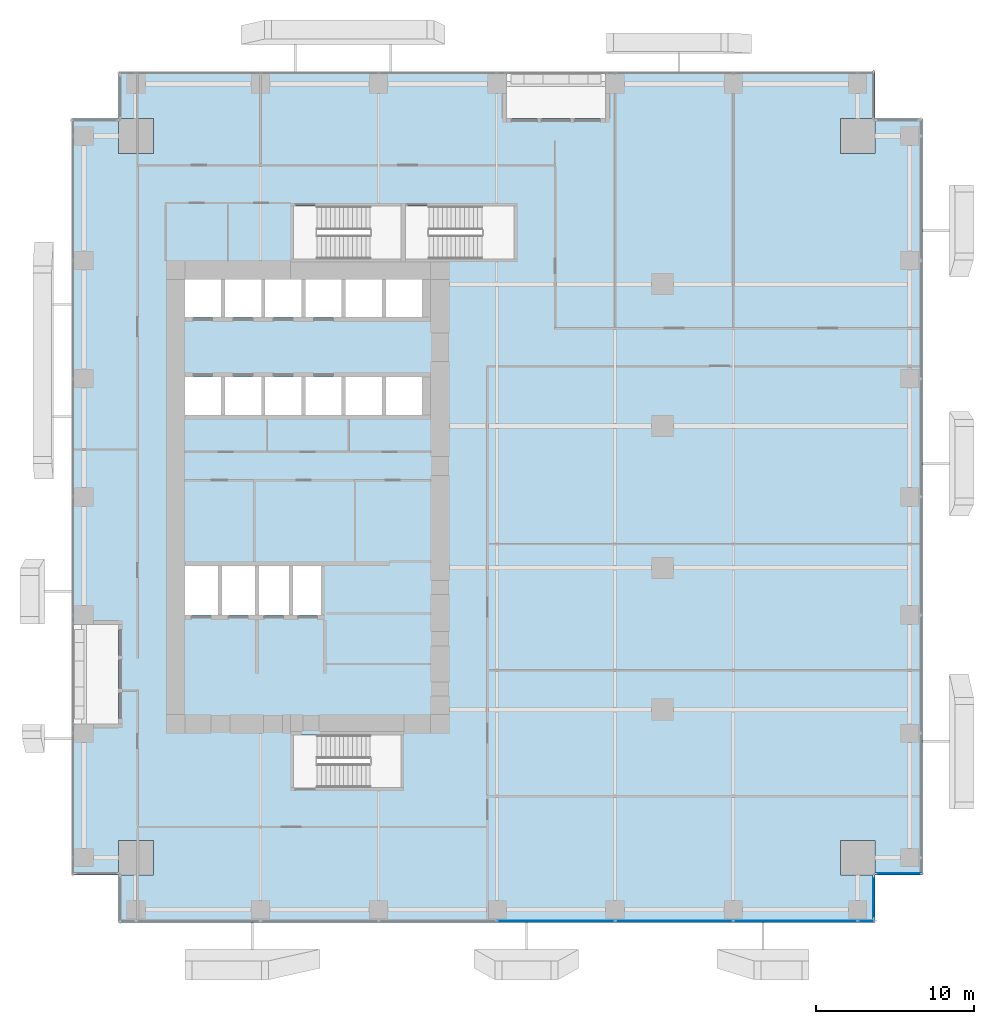
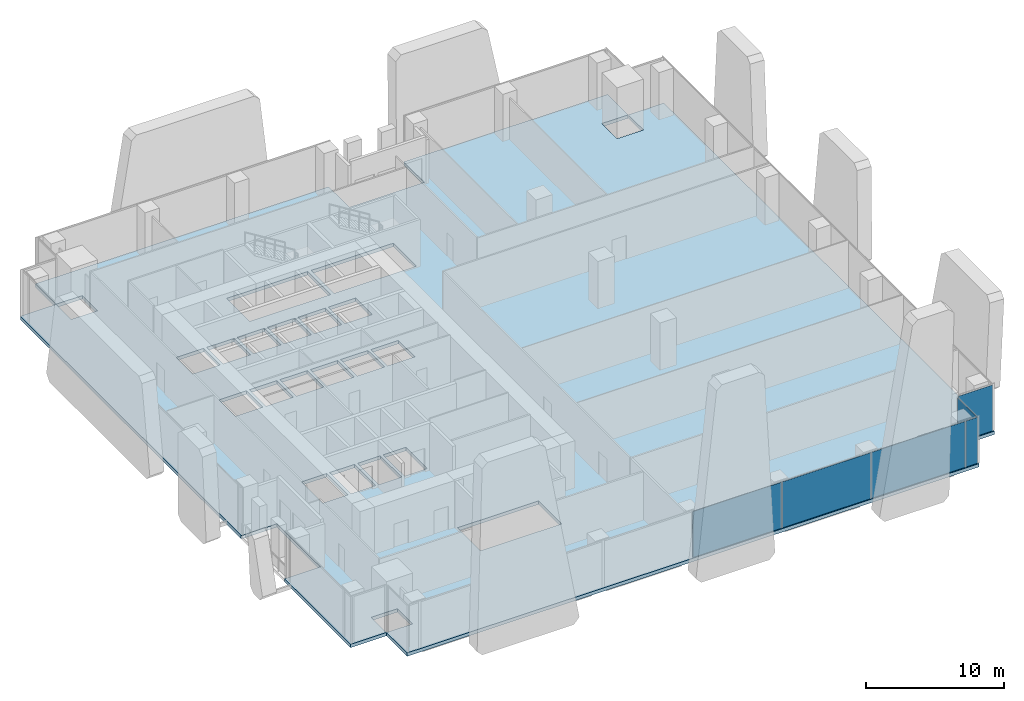
# One storey, part 23 of 34: 6 plates, 1 slab, 3 elements without a shape of their own.
"""IFC4 building model written with IfcOpenShell, lengths in metres."""

from ifc_helpers import new_model, si_unit, direction, frame, origin, origin_2d, place, context, subcontext, project, spatial, polyline, rectangle, outline, extrude, source, transform, mapped, material, layer, layer_set, type_object, element, aggregate, save


model = new_model("IFC4")

# Units and contexts
model_context = context("Model", 3, precision=1e-05, world=origin(), true_north=direction((0.0, 1.0)))
body_context = subcontext(model_context, "Body", "Model", "MODEL_VIEW")
ifc_project = project(units=[si_unit("LENGTHUNIT", "METRE"), si_unit("AREAUNIT", "SQUARE_METRE"), si_unit("VOLUMEUNIT", "CUBIC_METRE"), si_unit("PLANEANGLEUNIT", "RADIAN"), si_unit("MASSUNIT", "GRAM", prefix="KILO")], contexts=[model_context])

# Site, building, storey
site_placement = place(None, origin())
site = spatial("IfcSite", under=ifc_project, at=site_placement, CompositionType="ELEMENT")
building_placement = place(site_placement, origin())
building = spatial("IfcBuilding", under=site, at=building_placement, Name="Khomas Fold Tower", CompositionType="ELEMENT")
storey_placement = place(building_placement, frame((0.0, 0.0, 51.0)))
storey = spatial("IfcBuildingStorey", under=building, at=storey_placement, Name="L10", CompositionType="ELEMENT", Elevation=51.0)

# Slab
ifc_material_1 = material(Name="Concrete C40/50", Category="concrete")
ifc_layer_1 = layer(ifc_material_1, 0.300048828125)
ifc_layer_set_1 = layer_set([ifc_layer_1], Name="Concrete C40/50")
slab_type = type_object("IfcSlabType", Name="RC floor slab 300", PredefinedType="FLOOR", material=ifc_layer_set_1)
shared_shape_1 = source(origin(), body_context, "Body", "SweptSolid", [
    extrude(outline(polyline([(0.0, 3.0), (2.9951171875, 3.0), (2.9951171875, 5.205078125), (5.205078125, 5.205078125), (5.205078125, 2.9951171875), (3.0, 2.9951171875), (3.0, 0.0), (51.0, 0.0), (51.0, 2.9951171875), (48.794921875, 2.9951171875), (48.794921875, 5.205078125), (51.0048828125, 5.205078125), (51.0048828125, 3.0), (54.0, 3.0), (54.0, 51.0), (51.0048828125, 51.0), (51.0048828125, 48.794921875), (48.794921875, 48.794921875), (48.794921875, 51.0048828125), (51.0, 51.0048828125), (51.0, 54.0), (33.89990234375, 54.0), (33.89990234375, 51.0), (27.60009765625, 51.0), (27.60009765625, 54.0), (3.0, 54.0), (3.0, 51.0048828125), (5.205078125, 51.0048828125), (5.205078125, 48.794921875), (2.9951171875, 48.794921875), (2.9951171875, 51.0), (0.0, 51.0), (0.0, 18.89990234375), (3.0, 18.89990234375), (3.0, 12.60009765625), (0.0, 12.60009765625), (0.0, 3.0)]), holes=[polyline([(7.199951171875, 19.5), (7.199951171875, 22.60009765625), (9.300048828125, 22.60009765625), (9.300048828125, 19.5), (7.199951171875, 19.5)]), polyline([(7.199951171875, 32.199951171875), (7.199951171875, 34.60009765625), (9.5, 34.60009765625), (9.5, 32.199951171875), (7.199951171875, 32.199951171875)]), polyline([(7.199951171875, 38.39990234375), (7.199951171875, 40.800048828125), (9.5, 40.800048828125), (9.5, 38.39990234375), (7.199951171875, 38.39990234375)]), polyline([(9.550048828125, 19.5), (9.550048828125, 22.60009765625), (11.64990234375, 22.60009765625), (11.64990234375, 19.5), (9.550048828125, 19.5)]), polyline([(9.75, 32.199951171875), (9.75, 34.60009765625), (12.050048828125, 34.60009765625), (12.050048828125, 32.199951171875), (9.75, 32.199951171875)]), polyline([(9.75, 38.39990234375), (9.75, 40.800048828125), (12.050048828125, 40.800048828125), (12.050048828125, 38.39990234375), (9.75, 38.39990234375)]), polyline([(11.89990234375, 19.5), (11.89990234375, 22.60009765625), (13.800048828125, 22.60009765625), (13.800048828125, 19.5), (11.89990234375, 19.5)]), polyline([(12.300048828125, 32.199951171875), (12.300048828125, 34.60009765625), (14.60009765625, 34.60009765625), (14.60009765625, 32.199951171875), (12.300048828125, 32.199951171875)]), polyline([(12.300048828125, 38.39990234375), (12.300048828125, 40.800048828125), (14.60009765625, 40.800048828125), (14.60009765625, 38.39990234375), (12.300048828125, 38.39990234375)]), polyline([(14.050048828125, 19.5), (14.050048828125, 22.60009765625), (15.949951171875, 22.60009765625), (15.949951171875, 19.5), (14.050048828125, 19.5)]), polyline([(14.10009765625, 8.550048828125), (14.10009765625, 11.89990234375), (20.89990234375, 11.89990234375), (20.89990234375, 8.550048828125), (14.10009765625, 8.550048828125)]), polyline([(14.10009765625, 42.10009765625), (14.10009765625, 45.449951171875), (20.89990234375, 45.449951171875), (20.89990234375, 42.10009765625), (14.10009765625, 42.10009765625)]), polyline([(14.85009765625, 32.199951171875), (14.85009765625, 34.60009765625), (17.14990234375, 34.60009765625), (17.14990234375, 32.199951171875), (14.85009765625, 32.199951171875)]), polyline([(14.85009765625, 38.39990234375), (14.85009765625, 40.800048828125), (17.14990234375, 40.800048828125), (17.14990234375, 38.39990234375), (14.85009765625, 38.39990234375)]), polyline([(17.39990234375, 32.199951171875), (17.39990234375, 34.60009765625), (19.699951171875, 34.60009765625), (19.699951171875, 32.199951171875), (17.39990234375, 32.199951171875)]), polyline([(17.39990234375, 38.39990234375), (17.39990234375, 40.800048828125), (19.699951171875, 40.800048828125), (19.699951171875, 38.39990234375), (17.39990234375, 38.39990234375)]), polyline([(19.949951171875, 32.199951171875), (19.949951171875, 34.60009765625), (22.25, 34.60009765625), (22.25, 32.199951171875), (19.949951171875, 32.199951171875)]), polyline([(19.949951171875, 38.39990234375), (19.949951171875, 40.800048828125), (22.25, 40.800048828125), (22.25, 38.39990234375), (19.949951171875, 38.39990234375)]), polyline([(21.199951171875, 42.10009765625), (21.199951171875, 45.449951171875), (28.10009765625, 45.449951171875), (28.10009765625, 42.10009765625), (21.199951171875, 42.10009765625)])]), origin(), (0.0, 0.0, 1.0), 0.300048828125),
])
slab_placement = place(storey_placement, frame((0.0, 0.0, -0.300048828125)))
element("IfcSlab", 1, at=slab_placement, inside=storey, type_object=slab_type, Name="S-L10", PredefinedType="FLOOR", context=body_context, shape_type="MappedRepresentation", body=[
    mapped(shared_shape_1, transform((0.0, 0.0, 0.0))),
])

# Curtain wall, plates
ifc_material_2 = material(Name="Aluminium framed double glazing", Category="aluminium")
curtain_wall_type = type_object("IfcCurtainWallType", Name="SK-Unitised clear-glass wall, growing floors CW1", PredefinedType="NOTDEFINED", material=ifc_material_2)
curtain_wall_1_placement = place(storey_placement, origin())
curtain_wall_1 = element("IfcCurtainWall", 2, at=curtain_wall_1_placement, inside=storey, type_object=curtain_wall_type, Name="CW1 run L10 00-0", PredefinedType="NOTDEFINED")
ifc_material_3 = material(Name="Clear double glazed unit")
ifc_layer_2 = layer(ifc_material_3, 0.031982421875)
ifc_layer_set_2 = layer_set([ifc_layer_2], Name="Clear double glazed unit")
plate_type = type_object("IfcPlateType", Name="SK-Unitised clear-glass wall, growing floors glass panel CW1-P", PredefinedType="CURTAIN_PANEL", material=ifc_layer_set_2)
shared_shape_2 = source(origin(), body_context, "Body", "SweptSolid", [
    extrude(rectangle(XDim=7.840087890625, YDim=0.031982421875, at=origin_2d()), origin(), (0.0, 0.0, 1.0), 4.080078125),
])
plate_1_placement = place(storey_placement, frame((45.949951171875, 0.10009765625, 0.0), z_axis=(0.0, 0.0, 1.0), x_axis=(1.0, 0.0, 0.0)))
plate_1 = element("IfcPlate", 3, at=plate_1_placement, type_object=plate_type, Name="CW1 glass panel 7", PredefinedType="CURTAIN_PANEL", context=body_context, shape_type="MappedRepresentation", body=[
    mapped(shared_shape_2, transform((0.0, 0.0, 0.0))),
])
shared_shape_3 = source(origin(), body_context, "Body", "SweptSolid", [
    extrude(rectangle(XDim=7.43994140625, YDim=0.031982421875, at=origin_2d()), origin(), (0.0, 0.0, 1.0), 4.080078125),
])
plate_2_placement = place(storey_placement, frame((30.75, 0.10009765625, 0.0), z_axis=(0.0, 0.0, 1.0), x_axis=(1.0, 0.0, 0.0)))
plate_2 = element("IfcPlate", 4, at=plate_2_placement, type_object=plate_type, Name="CW1 glass panel 5", PredefinedType="CURTAIN_PANEL", context=body_context, shape_type="MappedRepresentation", body=[
    mapped(shared_shape_3, transform((0.0, 0.0, 0.0))),
])
plate_3_placement = place(storey_placement, frame((38.25, 0.10009765625, 0.0), z_axis=(0.0, 0.0, 1.0), x_axis=(1.0, 0.0, 0.0)))
plate_3 = element("IfcPlate", 5, at=plate_3_placement, type_object=plate_type, Name="CW1 glass panel 6", PredefinedType="CURTAIN_PANEL", context=body_context, shape_type="MappedRepresentation", body=[
    mapped(shared_shape_3, transform((0.0, 0.0, 0.0))),
])
shared_shape_4 = source(origin(), body_context, "Body", "SweptSolid", [
    extrude(rectangle(XDim=1.010009765625, YDim=0.031982421875, at=origin_2d()), origin(), (0.0, 0.0, 1.0), 4.080078125),
])
plate_4_placement = place(storey_placement, frame((50.43505859375, 0.10009765625, 0.0), z_axis=(0.0, 0.0, 1.0), x_axis=(1.0, 0.0, 0.0)))
plate_4 = element("IfcPlate", 6, at=plate_4_placement, type_object=plate_type, Name="CW1 glass panel 8", PredefinedType="CURTAIN_PANEL", context=body_context, shape_type="MappedRepresentation", body=[
    mapped(shared_shape_4, transform((0.0, 0.0, 0.0))),
])
aggregate(curtain_wall_1, [plate_2, plate_3, plate_1, plate_4])

# Curtain wall, plate
curtain_wall_2_placement = place(storey_placement, origin())
curtain_wall_2 = element("IfcCurtainWall", 7, at=curtain_wall_2_placement, inside=storey, type_object=curtain_wall_type, Name="CW1 corner return L10 01", PredefinedType="NOTDEFINED")
shared_shape_5 = source(origin(), body_context, "Body", "SweptSolid", [
    extrude(rectangle(XDim=2.679931640625, YDim=0.031982421875, at=origin_2d()), origin(), (0.0, 0.0, 1.0), 4.080078125),
])
plate_5_placement = place(storey_placement, frame((50.89990234375, 1.60009765625, 0.0), z_axis=(0.0, 0.0, 1.0), x_axis=(0.0, 1.0, 0.0)))
plate_5 = element("IfcPlate", 8, at=plate_5_placement, type_object=plate_type, Name="CW1 glass panel 1", PredefinedType="CURTAIN_PANEL", context=body_context, shape_type="MappedRepresentation", body=[
    mapped(shared_shape_5, transform((0.0, 0.0, 0.0))),
])
aggregate(curtain_wall_2, [plate_5])

curtain_wall_3_placement = place(storey_placement, origin())
curtain_wall_3 = element("IfcCurtainWall", 9, at=curtain_wall_3_placement, inside=storey, type_object=curtain_wall_type, Name="CW1 corner return L10 02", PredefinedType="NOTDEFINED")
shared_shape_6 = source(origin(), body_context, "Body", "SweptSolid", [
    extrude(rectangle(XDim=2.8798828125, YDim=0.031982421875, at=origin_2d()), origin(), (0.0, 0.0, 1.0), 4.080078125),
])
plate_6_placement = place(storey_placement, frame((52.5, 3.10009765625, 0.0), z_axis=(0.0, 0.0, 1.0), x_axis=(1.0, 0.0, 0.0)))
plate_6 = element("IfcPlate", 10, at=plate_6_placement, type_object=plate_type, Name="CW1 glass panel 1", PredefinedType="CURTAIN_PANEL", context=body_context, shape_type="MappedRepresentation", body=[
    mapped(shared_shape_6, transform((0.0, 0.0, 0.0))),
])
aggregate(curtain_wall_3, [plate_6])

save(model, "model.ifc")
